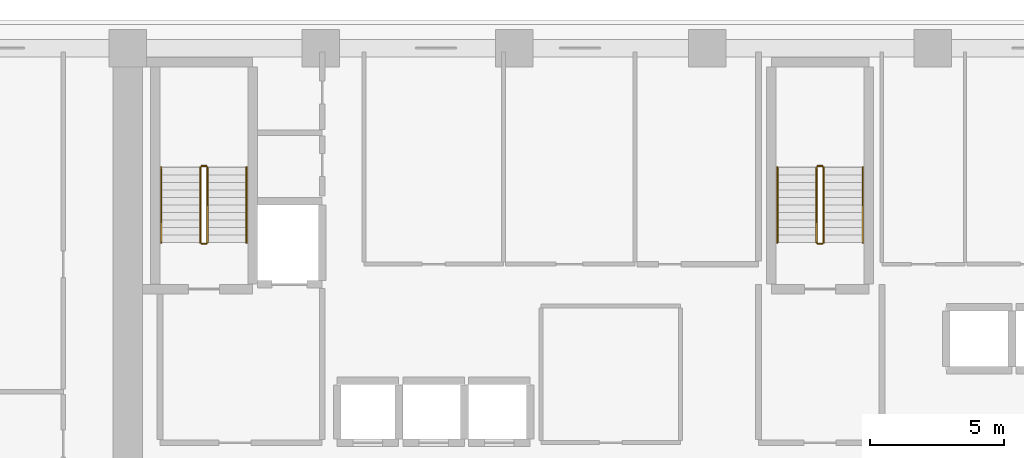
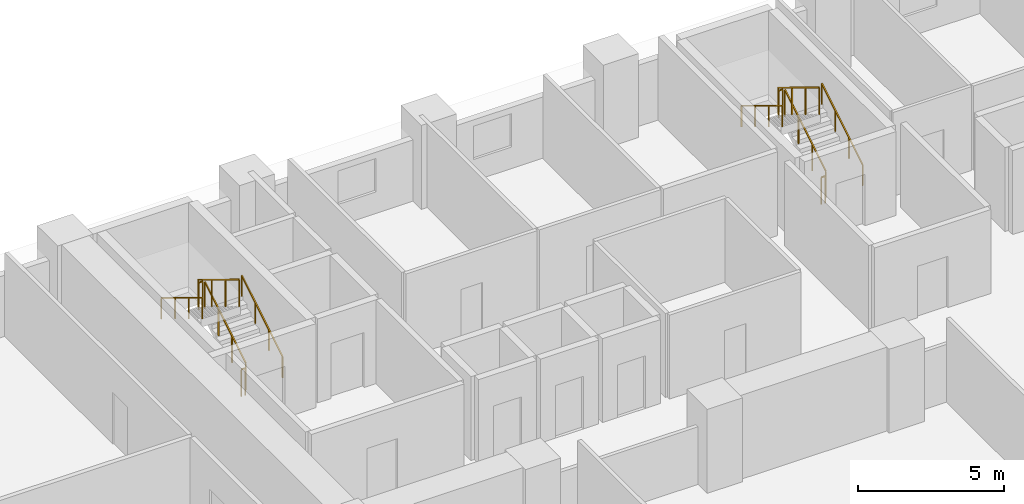
# One storey, part 14 of 16: 12 railings.
"""IFC4 building model written with IfcOpenShell, lengths in metres."""

from ifc_helpers import new_model, si_unit, direction, frame, origin, origin_2d, place, context, subcontext, project, spatial, rectangle, extrude, material, type_object, element, save


model = new_model("IFC4")

# Units and contexts
model_context = context("Model", 3, precision=1e-05, world=origin(), true_north=direction((0.0, 1.0)))
body_context = subcontext(model_context, "Body", "Model", "MODEL_VIEW")
ifc_project = project(units=[si_unit("LENGTHUNIT", "METRE"), si_unit("AREAUNIT", "SQUARE_METRE"), si_unit("VOLUMEUNIT", "CUBIC_METRE"), si_unit("PLANEANGLEUNIT", "RADIAN"), si_unit("MASSUNIT", "GRAM", prefix="KILO")], contexts=[model_context])

# Site, building, storey
site_placement = place(None, origin())
site = spatial("IfcSite", under=ifc_project, at=site_placement, CompositionType="ELEMENT")
building_placement = place(site_placement, origin())
building = spatial("IfcBuilding", under=site, at=building_placement, Name="Kaelvorn Grand Hotel", CompositionType="ELEMENT")
storey_placement = place(building_placement, frame((0.0, 0.0, 35.14990234375)))
storey = spatial("IfcBuildingStorey", under=building, at=storey_placement, Name="L06", CompositionType="ELEMENT", Elevation=35.14990234375)

# Railings
ifc_material = material(Name="Stainless Steel", Category="steel")
railing_type_1 = type_object("IfcRailingType", Name="RL-HANDRAIL-900", PredefinedType="HANDRAIL", material=ifc_material)
railing_1_placement = place(storey_placement, frame((20.6298828125, 41.760009765625, 0.170654296875)))
element("IfcRailing", 1, at=railing_1_placement, inside=storey, type_object=railing_type_1, Name="L06 ST1 stair handrail 1", PredefinedType="HANDRAIL", context=body_context, shape_type="SweptSolid", body=[
    extrude(rectangle(XDim=0.048095703125, YDim=0.048095703125, at=origin_2d()), frame((0.0, 0.0, 0.8759765625), z_axis=(0.0, 0.854202870247, 0.519939858505), x_axis=(-1.0, 0.0, 0.0)), (0.0, 0.0, 1.0), 3.278076171875),
    extrude(rectangle(XDim=0.0419921875, YDim=0.0419921875, at=origin_2d()), origin(), (0.0, 0.0, 1.0), 0.851806640625),
    extrude(rectangle(XDim=0.0419921875, YDim=0.0419921875, at=origin_2d()), frame((0.0, 0.933349609375, 0.568115234375)), (0.0, 0.0, 1.0), 0.851806640625),
    extrude(rectangle(XDim=0.0419921875, YDim=0.0419921875, at=origin_2d()), frame((0.0, 1.86669921875, 1.13623046875)), (0.0, 0.0, 1.0), 0.851806640625),
    extrude(rectangle(XDim=0.0419921875, YDim=0.0419921875, at=origin_2d()), frame((0.0, 2.800048828125, 1.704345703125)), (0.0, 0.0, 1.0), 0.851806640625),
])
railing_2_placement = place(storey_placement, frame((17.449951171875, 44.56005859375, 2.045654296875)))
element("IfcRailing", 2, at=railing_2_placement, inside=storey, type_object=railing_type_1, Name="L06 ST1 stair handrail 2", PredefinedType="HANDRAIL", context=body_context, shape_type="SweptSolid", body=[
    extrude(rectangle(XDim=0.048095703125, YDim=0.048095703125, at=origin_2d()), frame((0.0, 0.0, 0.8759765625), z_axis=(0.0, -0.854202870247, 0.519939858505), x_axis=(1.0, 0.0, 0.0)), (0.0, 0.0, 1.0), 3.278076171875),
    extrude(rectangle(XDim=0.0419921875, YDim=0.0419921875, at=origin_2d()), origin(), (0.0, 0.0, 1.0), 0.851806640625),
    extrude(rectangle(XDim=0.0419921875, YDim=0.0419921875, at=origin_2d()), frame((0.0, -0.933349609375, 0.568115234375)), (0.0, 0.0, 1.0), 0.851806640625),
    extrude(rectangle(XDim=0.0419921875, YDim=0.0419921875, at=origin_2d()), frame((0.0, -1.86669921875, 1.13623046875)), (0.0, 0.0, 1.0), 0.851806640625),
    extrude(rectangle(XDim=0.0419921875, YDim=0.0419921875, at=origin_2d()), frame((0.0, -2.800048828125, 1.704345703125)), (0.0, 0.0, 1.0), 0.851806640625),
])
railing_3_placement = place(storey_placement, frame((43.590087890625, 41.760009765625, 0.170654296875)))
element("IfcRailing", 3, at=railing_3_placement, inside=storey, type_object=railing_type_1, Name="L06 ST2 stair handrail 1", PredefinedType="HANDRAIL", context=body_context, shape_type="SweptSolid", body=[
    extrude(rectangle(XDim=0.048095703125, YDim=0.048095703125, at=origin_2d()), frame((0.0, 0.0, 0.8759765625), z_axis=(0.0, 0.854202870247, 0.519939858505), x_axis=(-1.0, 0.0, 0.0)), (0.0, 0.0, 1.0), 3.278076171875),
    extrude(rectangle(XDim=0.0419921875, YDim=0.0419921875, at=origin_2d()), origin(), (0.0, 0.0, 1.0), 0.851806640625),
    extrude(rectangle(XDim=0.0419921875, YDim=0.0419921875, at=origin_2d()), frame((0.0, 0.933349609375, 0.568115234375)), (0.0, 0.0, 1.0), 0.851806640625),
    extrude(rectangle(XDim=0.0419921875, YDim=0.0419921875, at=origin_2d()), frame((0.0, 1.86669921875, 1.13623046875)), (0.0, 0.0, 1.0), 0.851806640625),
    extrude(rectangle(XDim=0.0419921875, YDim=0.0419921875, at=origin_2d()), frame((0.0, 2.800048828125, 1.704345703125)), (0.0, 0.0, 1.0), 0.851806640625),
])
railing_4_placement = place(storey_placement, frame((40.409912109375, 44.56005859375, 2.045654296875)))
element("IfcRailing", 4, at=railing_4_placement, inside=storey, type_object=railing_type_1, Name="L06 ST2 stair handrail 2", PredefinedType="HANDRAIL", context=body_context, shape_type="SweptSolid", body=[
    extrude(rectangle(XDim=0.048095703125, YDim=0.048095703125, at=origin_2d()), frame((0.0, 0.0, 0.8759765625), z_axis=(0.0, -0.854202870247, 0.519939858505), x_axis=(1.0, 0.0, 0.0)), (0.0, 0.0, 1.0), 3.278076171875),
    extrude(rectangle(XDim=0.0419921875, YDim=0.0419921875, at=origin_2d()), origin(), (0.0, 0.0, 1.0), 0.851806640625),
    extrude(rectangle(XDim=0.0419921875, YDim=0.0419921875, at=origin_2d()), frame((0.0, -0.933349609375, 0.568115234375)), (0.0, 0.0, 1.0), 0.851806640625),
    extrude(rectangle(XDim=0.0419921875, YDim=0.0419921875, at=origin_2d()), frame((0.0, -1.86669921875, 1.13623046875)), (0.0, 0.0, 1.0), 0.851806640625),
    extrude(rectangle(XDim=0.0419921875, YDim=0.0419921875, at=origin_2d()), frame((0.0, -2.800048828125, 1.704345703125)), (0.0, 0.0, 1.0), 0.851806640625),
])
railing_type_2 = type_object("IfcRailingType", Name="RL-STAIR-GUARD-1150", PredefinedType="BALUSTRADE", material=ifc_material)
railing_5_placement = place(storey_placement, frame((19.169921875, 41.760009765625, 0.170654296875)))
element("IfcRailing", 5, at=railing_5_placement, inside=storey, type_object=railing_type_2, Name="L06 ST1 stair guard 1", PredefinedType="BALUSTRADE", context=body_context, shape_type="SweptSolid", body=[
    extrude(rectangle(XDim=0.048095703125, YDim=0.048095703125, at=origin_2d()), frame((0.0, 0.0, 1.1259765625), z_axis=(0.0, 0.854202870247, 0.519939858505), x_axis=(-1.0, 0.0, 0.0)), (0.0, 0.0, 1.0), 3.278076171875),
    extrude(rectangle(XDim=0.0419921875, YDim=0.0419921875, at=origin_2d()), origin(), (0.0, 0.0, 1.0), 1.101806640625),
    extrude(rectangle(XDim=0.0419921875, YDim=0.0419921875, at=origin_2d()), frame((0.0, 0.933349609375, 0.568115234375)), (0.0, 0.0, 1.0), 1.101806640625),
    extrude(rectangle(XDim=0.0419921875, YDim=0.0419921875, at=origin_2d()), frame((0.0, 1.86669921875, 1.13623046875)), (0.0, 0.0, 1.0), 1.101806640625),
    extrude(rectangle(XDim=0.0419921875, YDim=0.0419921875, at=origin_2d()), frame((0.0, 2.800048828125, 1.704345703125)), (0.0, 0.0, 1.0), 1.101806640625),
])
railing_6_placement = place(storey_placement, frame((19.1201171875, 44.610107421875, 1.875)))
element("IfcRailing", 6, at=railing_6_placement, inside=storey, type_object=railing_type_2, Name="L06 ST1 stair guard 2", PredefinedType="BALUSTRADE", context=body_context, shape_type="SweptSolid", body=[
    extrude(rectangle(XDim=0.048095703125, YDim=0.048095703125, at=origin_2d()), frame((0.0, 0.0, 1.1259765625), z_axis=(-1.0, 0.0, 0.0), x_axis=(0.0, -1.0, 0.0)), (0.0, 0.0, 1.0), 0.16015625),
    extrude(rectangle(XDim=0.0419921875, YDim=0.0419921875, at=origin_2d()), origin(), (0.0, 0.0, 1.0), 1.101806640625),
    extrude(rectangle(XDim=0.0419921875, YDim=0.0419921875, at=origin_2d()), frame((-0.16015625, 0.0, 0.0)), (0.0, 0.0, 1.0), 1.101806640625),
])
railing_7_placement = place(storey_placement, frame((18.909912109375, 44.56005859375, 2.045654296875)))
element("IfcRailing", 7, at=railing_7_placement, inside=storey, type_object=railing_type_2, Name="L06 ST1 stair guard 3", PredefinedType="BALUSTRADE", context=body_context, shape_type="SweptSolid", body=[
    extrude(rectangle(XDim=0.048095703125, YDim=0.048095703125, at=origin_2d()), frame((0.0, 0.0, 1.1259765625), z_axis=(0.0, -0.854202870247, 0.519939858505), x_axis=(1.0, 0.0, 0.0)), (0.0, 0.0, 1.0), 3.278076171875),
    extrude(rectangle(XDim=0.0419921875, YDim=0.0419921875, at=origin_2d()), origin(), (0.0, 0.0, 1.0), 1.101806640625),
    extrude(rectangle(XDim=0.0419921875, YDim=0.0419921875, at=origin_2d()), frame((0.0, -0.933349609375, 0.568115234375)), (0.0, 0.0, 1.0), 1.101806640625),
    extrude(rectangle(XDim=0.0419921875, YDim=0.0419921875, at=origin_2d()), frame((0.0, -1.86669921875, 1.13623046875)), (0.0, 0.0, 1.0), 1.101806640625),
    extrude(rectangle(XDim=0.0419921875, YDim=0.0419921875, at=origin_2d()), frame((0.0, -2.800048828125, 1.704345703125)), (0.0, 0.0, 1.0), 1.101806640625),
])
railing_8_placement = place(storey_placement, frame((19.1201171875, 41.7099609375, 0.0)))
element("IfcRailing", 8, at=railing_8_placement, inside=storey, type_object=railing_type_2, Name="L06 ST1 stair guard 4", PredefinedType="BALUSTRADE", context=body_context, shape_type="SweptSolid", body=[
    extrude(rectangle(XDim=0.048095703125, YDim=0.048095703125, at=origin_2d()), frame((0.0, 0.0, 1.1259765625), z_axis=(-1.0, 0.0, 0.0), x_axis=(0.0, -1.0, 0.0)), (0.0, 0.0, 1.0), 0.16015625),
    extrude(rectangle(XDim=0.0419921875, YDim=0.0419921875, at=origin_2d()), origin(), (0.0, 0.0, 1.0), 1.101806640625),
    extrude(rectangle(XDim=0.0419921875, YDim=0.0419921875, at=origin_2d()), frame((-0.16015625, 0.0, 0.0)), (0.0, 0.0, 1.0), 1.101806640625),
])
railing_9_placement = place(storey_placement, frame((42.1298828125, 41.760009765625, 0.170654296875)))
element("IfcRailing", 9, at=railing_9_placement, inside=storey, type_object=railing_type_2, Name="L06 ST2 stair guard 1", PredefinedType="BALUSTRADE", context=body_context, shape_type="SweptSolid", body=[
    extrude(rectangle(XDim=0.048095703125, YDim=0.048095703125, at=origin_2d()), frame((0.0, 0.0, 1.1259765625), z_axis=(0.0, 0.854202870247, 0.519939858505), x_axis=(-1.0, 0.0, 0.0)), (0.0, 0.0, 1.0), 3.278076171875),
    extrude(rectangle(XDim=0.0419921875, YDim=0.0419921875, at=origin_2d()), origin(), (0.0, 0.0, 1.0), 1.101806640625),
    extrude(rectangle(XDim=0.0419921875, YDim=0.0419921875, at=origin_2d()), frame((0.0, 0.933349609375, 0.568115234375)), (0.0, 0.0, 1.0), 1.101806640625),
    extrude(rectangle(XDim=0.0419921875, YDim=0.0419921875, at=origin_2d()), frame((0.0, 1.86669921875, 1.13623046875)), (0.0, 0.0, 1.0), 1.101806640625),
    extrude(rectangle(XDim=0.0419921875, YDim=0.0419921875, at=origin_2d()), frame((0.0, 2.800048828125, 1.704345703125)), (0.0, 0.0, 1.0), 1.101806640625),
])
railing_10_placement = place(storey_placement, frame((42.080078125, 44.610107421875, 1.875)))
element("IfcRailing", 10, at=railing_10_placement, inside=storey, type_object=railing_type_2, Name="L06 ST2 stair guard 2", PredefinedType="BALUSTRADE", context=body_context, shape_type="SweptSolid", body=[
    extrude(rectangle(XDim=0.048095703125, YDim=0.048095703125, at=origin_2d()), frame((0.0, 0.0, 1.1259765625), z_axis=(-1.0, 0.0, 0.0), x_axis=(0.0, -1.0, 0.0)), (0.0, 0.0, 1.0), 0.16015625),
    extrude(rectangle(XDim=0.0419921875, YDim=0.0419921875, at=origin_2d()), origin(), (0.0, 0.0, 1.0), 1.101806640625),
    extrude(rectangle(XDim=0.0419921875, YDim=0.0419921875, at=origin_2d()), frame((-0.16015625, 0.0, 0.0)), (0.0, 0.0, 1.0), 1.101806640625),
])
railing_11_placement = place(storey_placement, frame((41.8701171875, 44.56005859375, 2.045654296875)))
element("IfcRailing", 11, at=railing_11_placement, inside=storey, type_object=railing_type_2, Name="L06 ST2 stair guard 3", PredefinedType="BALUSTRADE", context=body_context, shape_type="SweptSolid", body=[
    extrude(rectangle(XDim=0.048095703125, YDim=0.048095703125, at=origin_2d()), frame((0.0, 0.0, 1.1259765625), z_axis=(0.0, -0.854202870247, 0.519939858505), x_axis=(1.0, 0.0, 0.0)), (0.0, 0.0, 1.0), 3.278076171875),
    extrude(rectangle(XDim=0.0419921875, YDim=0.0419921875, at=origin_2d()), origin(), (0.0, 0.0, 1.0), 1.101806640625),
    extrude(rectangle(XDim=0.0419921875, YDim=0.0419921875, at=origin_2d()), frame((0.0, -0.933349609375, 0.568115234375)), (0.0, 0.0, 1.0), 1.101806640625),
    extrude(rectangle(XDim=0.0419921875, YDim=0.0419921875, at=origin_2d()), frame((0.0, -1.86669921875, 1.13623046875)), (0.0, 0.0, 1.0), 1.101806640625),
    extrude(rectangle(XDim=0.0419921875, YDim=0.0419921875, at=origin_2d()), frame((0.0, -2.800048828125, 1.704345703125)), (0.0, 0.0, 1.0), 1.101806640625),
])
railing_12_placement = place(storey_placement, frame((42.080078125, 41.7099609375, 0.0)))
element("IfcRailing", 12, at=railing_12_placement, inside=storey, type_object=railing_type_2, Name="L06 ST2 stair guard 4", PredefinedType="BALUSTRADE", context=body_context, shape_type="SweptSolid", body=[
    extrude(rectangle(XDim=0.048095703125, YDim=0.048095703125, at=origin_2d()), frame((0.0, 0.0, 1.1259765625), z_axis=(-1.0, 0.0, 0.0), x_axis=(0.0, -1.0, 0.0)), (0.0, 0.0, 1.0), 0.16015625),
    extrude(rectangle(XDim=0.0419921875, YDim=0.0419921875, at=origin_2d()), origin(), (0.0, 0.0, 1.0), 1.101806640625),
    extrude(rectangle(XDim=0.0419921875, YDim=0.0419921875, at=origin_2d()), frame((-0.16015625, 0.0, 0.0)), (0.0, 0.0, 1.0), 1.101806640625),
])

save(model, "model.ifc")
